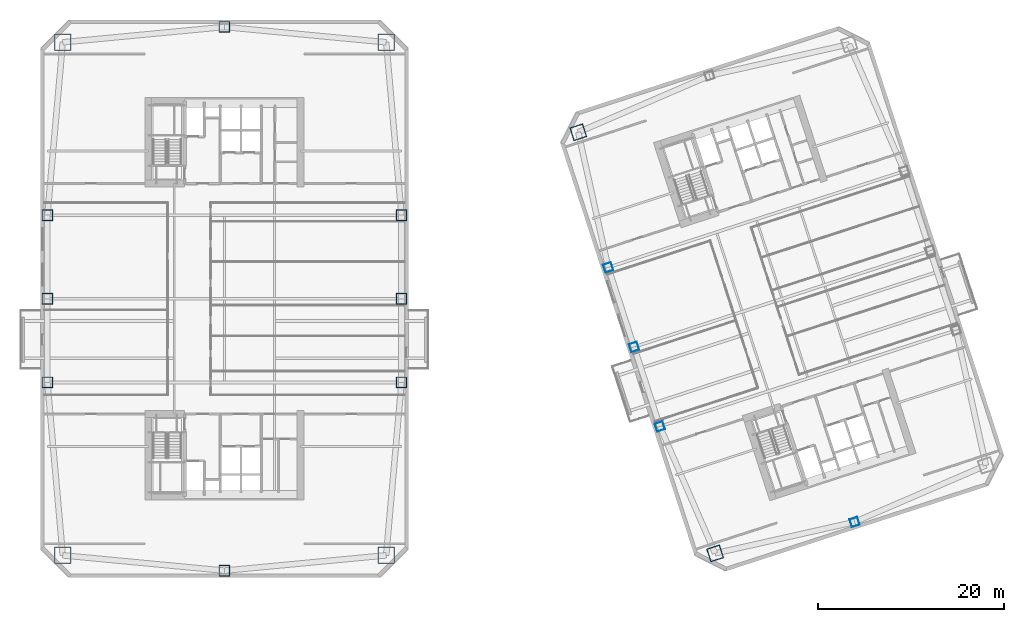
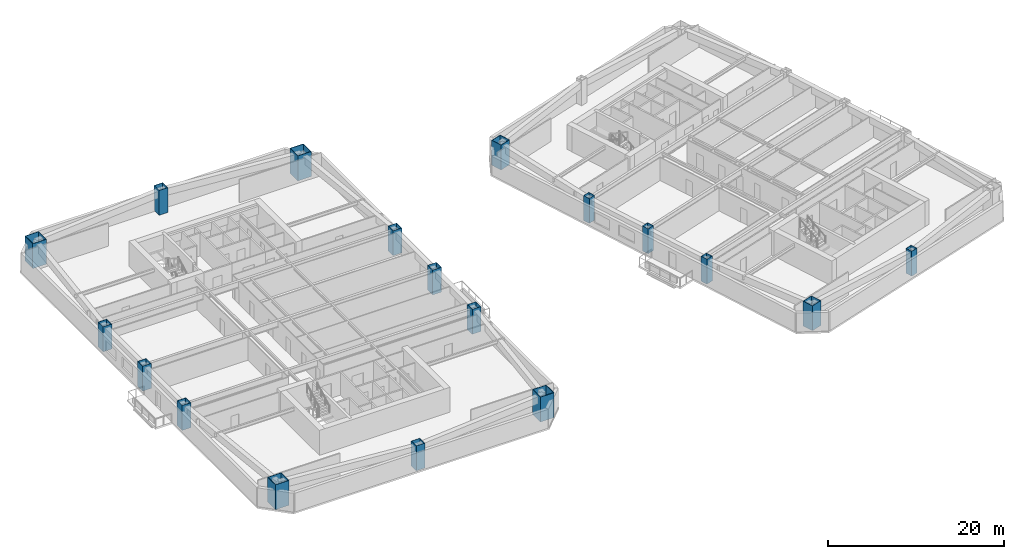
# One storey, part 1 of 15: 18 columns.
"""IFC4 building model written with IfcOpenShell, lengths in metres."""

from ifc_helpers import new_model, si_unit, direction, frame, origin, origin_2d, place, context, subcontext, project, spatial, hollow_rectangle, extrude, material, material_profile, profile_set, type_object, element, save


model = new_model("IFC4")

# Units and contexts
model_context = context("Model", 3, precision=1e-05, world=origin(), true_north=direction((0.0, 1.0)))
body_context = subcontext(model_context, "Body", "Model", "MODEL_VIEW")
ifc_project = project(units=[si_unit("LENGTHUNIT", "METRE"), si_unit("AREAUNIT", "SQUARE_METRE"), si_unit("VOLUMEUNIT", "CUBIC_METRE"), si_unit("PLANEANGLEUNIT", "RADIAN"), si_unit("MASSUNIT", "GRAM", prefix="KILO")], contexts=[model_context])

# Site, building, storey
site_placement = place(None, origin())
site = spatial("IfcSite", under=ifc_project, at=site_placement, CompositionType="ELEMENT")
building_placement = place(site_placement, origin())
building = spatial("IfcBuilding", under=site, at=building_placement, Name="Qiaolan Cultural Towers", CompositionType="ELEMENT")
storey_placement = place(building_placement, frame((0.0, 0.0, 81.64990234375)))
storey = spatial("IfcBuildingStorey", under=building, at=storey_placement, Name="L20", CompositionType="ELEMENT", Elevation=81.64990234375)

# Columns
ifc_material_1 = material(Name="Steel Q390GJB", Category="steel")
ifc_material_profile_1 = material_profile(ifc_material_1, hollow_rectangle(XDim=1.14990234375, YDim=1.14990234375, WallThickness=0.0400390625, at=origin_2d()), Name="BOX1150x1150x40")
ifc_profile_set_1 = profile_set([ifc_material_profile_1], Name="Steel Q390GJB")
column_type_1 = type_object("IfcColumnType", Name="COL-BOX1150x1150x40", PredefinedType="COLUMN", material=ifc_profile_set_1)
for number, where, z_axis, x_axis, name in (
    (1, (10.949951171875, 25.0, 0.0), (0.0, 0.0, 1.0), (1.0, 0.0, 0.0), "L20 T1 Perimeter Column PC-W1"),
    (2, (10.949951171875, 34.0, 0.0), (0.0, 0.0, 1.0), (1.0, 0.0, 0.0), "L20 T1 Perimeter Column PC-W2"),
    (3, (10.949951171875, 43.0, 0.0), (0.0, 0.0, 1.0), (1.0, 0.0, 0.0), "L20 T1 Perimeter Column PC-W3"),
    (4, (49.050048828125, 25.0, 0.0), (0.0, 0.0, 1.0), (1.0, 0.0, 0.0), "L20 T1 Perimeter Column PC-E1"),
    (5, (49.050048828125, 34.0, 0.0), (0.0, 0.0, 1.0), (1.0, 0.0, 0.0), "L20 T1 Perimeter Column PC-E2"),
    (6, (49.050048828125, 43.0, 0.0), (0.0, 0.0, 1.0), (1.0, 0.0, 0.0), "L20 T1 Perimeter Column PC-E3"),
    (7, (30.0, 4.75, 0.0), (0.0, 0.0, 1.0), (1.0, 0.0, 0.0), "L20 T1 Perimeter Column PC-S0"),
    (8, (30.0, 63.25, 0.0), (0.0, 0.0, 1.0), (1.0, 0.0, 0.0), "L20 T1 Perimeter Column PC-N0"),
):
    element("IfcColumn", number, at=place(storey_placement, frame(where, z_axis=z_axis, x_axis=x_axis)), inside=storey, type_object=column_type_1, Name=name, PredefinedType="COLUMN", context=body_context, shape_type="SweptSolid", body=[
        extrude(hollow_rectangle(XDim=1.14990234375, YDim=1.14990234375, WallThickness=0.0400390625, at=origin_2d()), origin(), (0.0, 0.0, 1.0), 3.451171875),
    ])
ifc_material_2 = material(Name="Steel Q420GJB", Category="steel")
ifc_material_profile_2 = material_profile(ifc_material_2, hollow_rectangle(XDim=1.449951171875, YDim=1.449951171875, WallThickness=0.050048828125, at=origin_2d()), Name="BOX1450x1450x50")
ifc_profile_set_2 = profile_set([ifc_material_profile_2], Name="Steel Q420GJB")
column_type_2 = type_object("IfcColumnType", Name="COL-BOX1450x1450x50", PredefinedType="COLUMN", material=ifc_profile_set_2)
for number, where, z_axis, x_axis, name in (
    (9, (82.79052734375, 6.611572265625, 0.0), (0.0, 0.0, 1.0), (0.951056516295, 0.309016994375, 0.0), "L20 T2 Perimeter Column MC-SW"),
    (10, (68.069091796875, 51.919921875, 0.0), (0.0, 0.0, 1.0), (0.951056516295, 0.309016994375, 0.0), "L20 T2 Perimeter Column MC-NW"),
):
    element("IfcColumn", number, at=place(storey_placement, frame(where, z_axis=z_axis, x_axis=x_axis)), inside=storey, type_object=column_type_2, Name=name, PredefinedType="COLUMN", context=body_context, shape_type="SweptSolid", body=[
        extrude(hollow_rectangle(XDim=1.449951171875, YDim=1.449951171875, WallThickness=0.050048828125, at=origin_2d()), origin(), (0.0, 0.0, 1.0), 3.451171875),
    ])
ifc_material_3 = material(Name="Steel Q420GJB", Category="steel")
ifc_material_profile_3 = material_profile(ifc_material_3, hollow_rectangle(XDim=1.800048828125, YDim=1.800048828125, WallThickness=0.06005859375, at=origin_2d()), Name="BOX1800x1800x60")
ifc_profile_set_3 = profile_set([ifc_material_profile_3], Name="Steel Q420GJB")
column_type_3 = type_object("IfcColumnType", Name="COL-BOX1800x1800x60", PredefinedType="COLUMN", material=ifc_profile_set_3)
for number, where, z_axis, x_axis, name in (
    (11, (12.60009765625, 6.39990234375, 0.0), (0.0, 0.0, 1.0), (1.0, 0.0, 0.0), "L20 T1 Perimeter Column MC-SW"),
    (12, (47.39990234375, 6.39990234375, 0.0), (0.0, 0.0, 1.0), (1.0, 0.0, 0.0), "L20 T1 Perimeter Column MC-SE"),
    (13, (47.39990234375, 61.60009765625, 0.0), (0.0, 0.0, 1.0), (1.0, 0.0, 0.0), "L20 T1 Perimeter Column MC-NE"),
    (14, (12.60009765625, 61.60009765625, 0.0), (0.0, 0.0, 1.0), (1.0, 0.0, 0.0), "L20 T1 Perimeter Column MC-NW"),
):
    element("IfcColumn", number, at=place(storey_placement, frame(where, z_axis=z_axis, x_axis=x_axis)), inside=storey, type_object=column_type_3, Name=name, PredefinedType="COLUMN", context=body_context, shape_type="SweptSolid", body=[
        extrude(hollow_rectangle(XDim=1.800048828125, YDim=1.800048828125, WallThickness=0.06005859375, at=origin_2d()), origin(), (0.0, 0.0, 1.0), 3.451171875),
    ])
ifc_material_4 = material(Name="Steel Q355B", Category="steel")
ifc_material_profile_4 = material_profile(ifc_material_4, hollow_rectangle(XDim=0.89990234375, YDim=0.89990234375, WallThickness=0.031982421875, at=origin_2d()), Name="BOX900x900x32")
ifc_profile_set_4 = profile_set([ifc_material_profile_4], Name="Steel Q355B")
column_type_4 = type_object("IfcColumnType", Name="COL-BOX900x900x32", PredefinedType="COLUMN", material=ifc_profile_set_4)
for number, where, z_axis, x_axis, name in (
    (15, (76.85107421875, 20.264404296875, 0.0), (0.0, 0.0, 1.0), (0.951056516295, 0.309016994375, 0.0), "L20 T2 Perimeter Column PC-W1"),
    (16, (74.06982421875, 28.823974609375, 0.0), (0.0, 0.0, 1.0), (0.951056516295, 0.309016994375, 0.0), "L20 T2 Perimeter Column PC-W2"),
    (17, (71.28857421875, 37.383544921875, 0.0), (0.0, 0.0, 1.0), (0.951056516295, 0.309016994375, 0.0), "L20 T2 Perimeter Column PC-W3"),
    (18, (97.802734375, 9.98583984375, 0.0), (0.0, 0.0, 1.0), (0.951056516295, 0.309016994375, 0.0), "L20 T2 Perimeter Column PC-S0"),
):
    element("IfcColumn", number, at=place(storey_placement, frame(where, z_axis=z_axis, x_axis=x_axis)), inside=storey, type_object=column_type_4, Name=name, PredefinedType="COLUMN", context=body_context, shape_type="SweptSolid", body=[
        extrude(hollow_rectangle(XDim=0.89990234375, YDim=0.89990234375, WallThickness=0.031982421875, at=origin_2d()), origin(), (0.0, 0.0, 1.0), 3.451171875),
    ])

save(model, "model.ifc")
